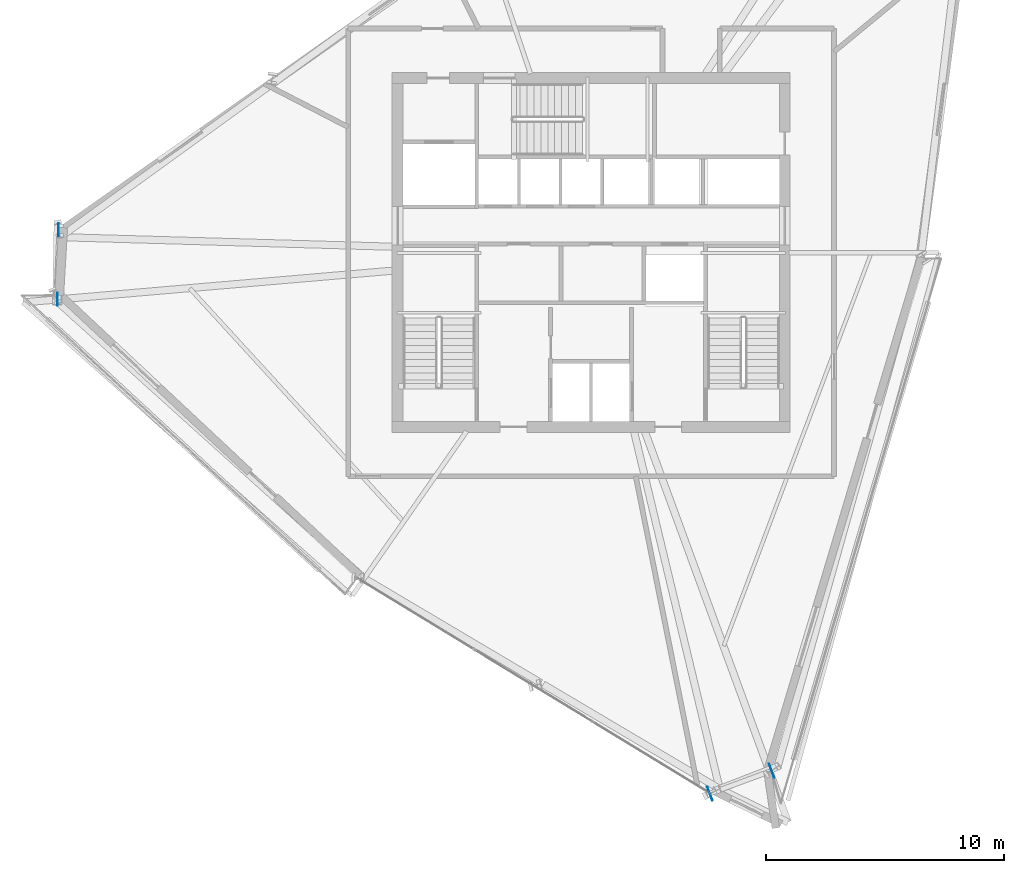
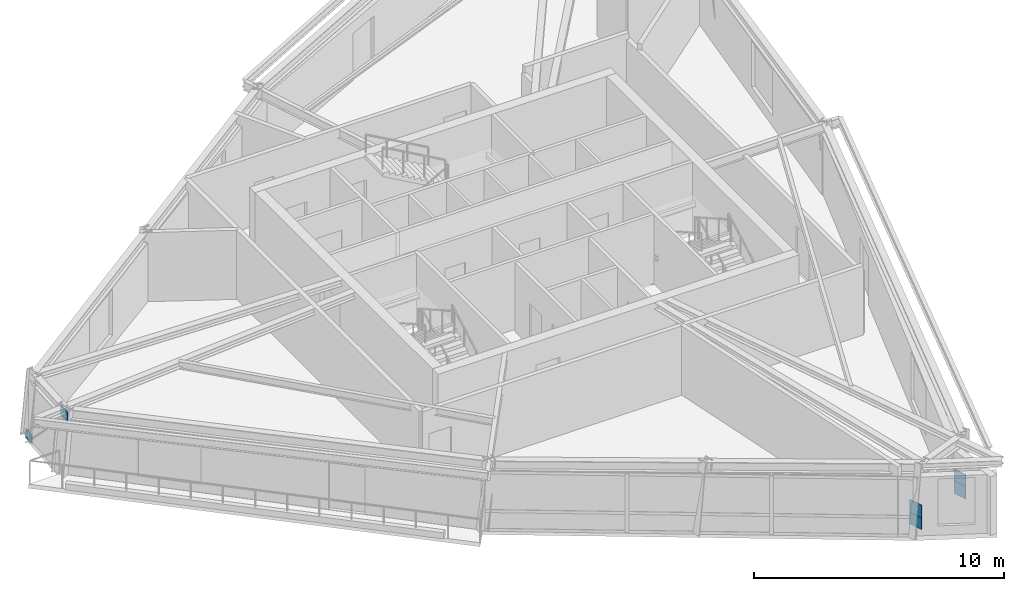
# One storey, part 7 of 14: 6 plates.
"""IFC4 building model written with IfcOpenShell, lengths in metres."""

from ifc_helpers import new_model, si_unit, direction, frame, origin, origin_2d, place, context, subcontext, project, spatial, rectangle, extrude, source, transform, mapped, material, type_object, element, save


model = new_model("IFC4")

# Units and contexts
model_context = context("Model", 3, precision=1e-05, world=origin(), true_north=direction((0.0, 1.0)))
body_context = subcontext(model_context, "Body", "Model", "MODEL_VIEW")
ifc_project = project(units=[si_unit("LENGTHUNIT", "METRE"), si_unit("AREAUNIT", "SQUARE_METRE"), si_unit("VOLUMEUNIT", "CUBIC_METRE"), si_unit("PLANEANGLEUNIT", "RADIAN"), si_unit("MASSUNIT", "GRAM", prefix="KILO")], contexts=[model_context])

# Site, building, storey
site_placement = place(None, origin())
site = spatial("IfcSite", under=ifc_project, at=site_placement, CompositionType="ELEMENT")
building_placement = place(site_placement, origin())
building = spatial("IfcBuilding", under=site, at=building_placement, Name="Olszyna Solenne Hotel", CompositionType="ELEMENT")
storey_placement = place(building_placement, frame((0.0, 0.0, 256.10009765625)))
storey = spatial("IfcBuildingStorey", under=building, at=storey_placement, Name="L68", CompositionType="ELEMENT", Elevation=256.10009765625)

# Plates
ifc_material_1 = material(Name="Steel S460M", Category="steel")
plate_type_1 = type_object("IfcPlateType", Name="GP-CAP2", PredefinedType="USERDEFINED", material=ifc_material_1)
shared_shape_1 = source(origin(), body_context, "Body", "SweptSolid", [
    extrude(rectangle(XDim=0.030029296875, YDim=0.6201171875, at=origin_2d()), origin(), (0.0, 0.0, 1.0), 0.6201171875),
])
for number, where, z_axis, x_axis, name in (
    (1, (42.984619140625, 3.87939453125, 1.039794921875), (0.0, 0.0, 1.0), (0.937888934612, 0.346935651573, 0.0), "Hollow section end-cap plate GP-CAP2 CP-PR-M-L68-PR1-1"),
    (2, (45.580322265625, 4.839599609375, 1.039794921875), (0.0, 0.0, 1.0), (0.937888934612, 0.346935651573, 0.0), "Hollow section end-cap plate GP-CAP2 CP-PR-M-L68-PR1-2"),
    (3, (42.984619140625, 3.87939453125, 0.4697265625), (0.0, 0.0, 1.0), (0.937888934612, 0.346935651573, 0.0), "Hollow section end-cap plate GP-CAP2 CP-PR-M-L68-PR2-1"),
    (4, (45.580322265625, 4.839599609375, 0.4697265625), (0.0, 0.0, 1.0), (0.937888934612, 0.346935651573, 0.0), "Hollow section end-cap plate GP-CAP2 CP-PR-M-L68-PR2-2"),
):
    element("IfcPlate", number, at=place(storey_placement, frame(where, z_axis=z_axis, x_axis=x_axis)), inside=storey, type_object=plate_type_1, Name=name, ObjectType="GUSSET_PLATE", PredefinedType="USERDEFINED", context=body_context, shape_type="MappedRepresentation", body=[
        mapped(shared_shape_1, transform((0.0, 0.0, 0.0), x_axis=(1.0, 0.0, 0.0), y_axis=(0.0, 1.0, 0.0), z_axis=(0.0, 0.0, 1.0), scale=1.0)),
    ])
ifc_material_2 = material(Name="Steel S355J2", Category="steel")
plate_type_2 = type_object("IfcPlateType", Name="GP-ND2", PredefinedType="USERDEFINED", material=ifc_material_2)
shared_shape_2 = source(origin(), body_context, "Body", "SweptSolid", [
    extrude(rectangle(XDim=0.56005859375, YDim=0.02001953125, at=origin_2d()), origin(), (0.0, 0.0, 1.0), 0.47998046875),
])
for number, where, z_axis, x_axis, name in (
    (5, (15.640380859375, 27.551513671875, -0.13134765625), (0.0, 0.0, 1.0), (-0.016754376869, -0.999859635577, 0.0), "Brace end connection gusset plate GP-ND2 EP-BR-L68-2-1"),
    (6, (15.591552734375, 24.63671875, 2.76611328125), (0.0, 0.0, 1.0), (-0.016754376869, -0.999859635577, 0.0), "Brace end connection gusset plate GP-ND2 EP-BR-L68-2-2"),
):
    element("IfcPlate", number, at=place(storey_placement, frame(where, z_axis=z_axis, x_axis=x_axis)), inside=storey, type_object=plate_type_2, Name=name, ObjectType="GUSSET_PLATE", PredefinedType="USERDEFINED", context=body_context, shape_type="MappedRepresentation", body=[
        mapped(shared_shape_2, transform((0.0, 0.0, 0.0), x_axis=(1.0, 0.0, 0.0), y_axis=(0.0, 1.0, 0.0), z_axis=(0.0, 0.0, 1.0), scale=1.0)),
    ])

save(model, "model.ifc")
